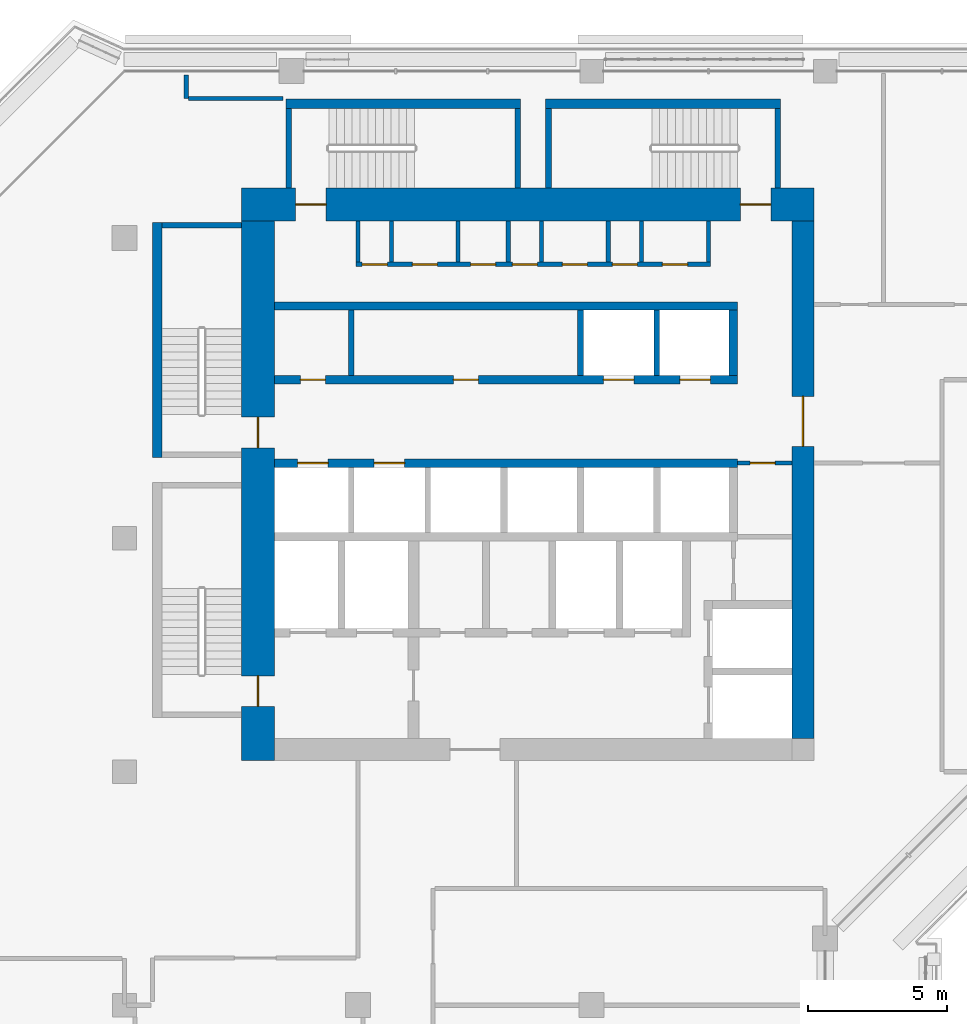
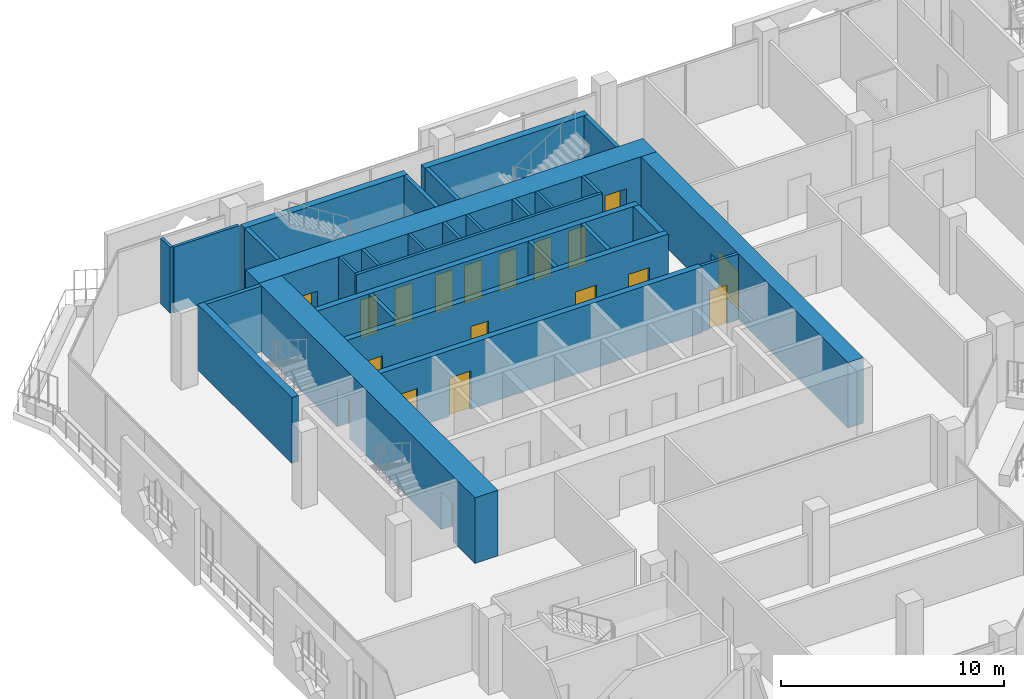
# One storey, part 11 of 21: 30 walls, 19 doors, 19 openings.
"""IFC4 building model written with IfcOpenShell, lengths in metres."""

from ifc_helpers import new_model, si_unit, direction, frame, frame_2d, origin, place, context, subcontext, project, spatial, rectangle, extrude, material, layer, layer_set, type_object, element, fill, save


model = new_model("IFC4")

# Units and contexts
model_context = context("Model", 3, precision=1e-05, world=origin(), true_north=direction((0.0, 1.0)))
body_context = subcontext(model_context, "Body", "Model", "MODEL_VIEW")
ifc_project = project(units=[si_unit("LENGTHUNIT", "METRE"), si_unit("AREAUNIT", "SQUARE_METRE"), si_unit("VOLUMEUNIT", "CUBIC_METRE"), si_unit("PLANEANGLEUNIT", "RADIAN"), si_unit("MASSUNIT", "GRAM", prefix="KILO")], contexts=[model_context])

# Site, building, storey
site_placement = place(None, origin())
site = spatial("IfcSite", under=ifc_project, at=site_placement, CompositionType="ELEMENT")
building_placement = place(site_placement, origin())
building = spatial("IfcBuilding", under=site, at=building_placement, Name="Kawkab Arch Medical Tower", CompositionType="ELEMENT")
storey_placement = place(building_placement, frame((0.0, 0.0, 260.0)))
storey = spatial("IfcBuildingStorey", under=building, at=storey_placement, Name="L60", CompositionType="ELEMENT", Elevation=260.0)

# Wall, openings, doors
ifc_material_1 = material(Name="Concrete C50/60", Category="concrete")
ifc_layer_1 = layer(ifc_material_1, 1.199951171875)
ifc_layer_set_1 = layer_set([ifc_layer_1], Name="Concrete C50/60")
wall_type_1 = type_object("IfcWallType", Name="Core ring wall 1200 C50/60", PredefinedType="SHEAR", material=ifc_layer_set_1)
wall_1_placement = place(storey_placement, frame((4.199951171875, -4.800048828125, 0.0), z_axis=(0.0, 0.0, 1.0), x_axis=(1.0, 0.0, 0.0)))
wall_1 = element("IfcWall", 1, at=wall_1_placement, inside=storey, type_object=wall_type_1, Name="L60 core wall", PredefinedType="SHEAR", context=body_context, shape_type="SweptSolid", body=[
    extrude(rectangle(XDim=20.60009765625, YDim=1.199951171875, at=frame_2d((10.300048828125, 0.0))), origin(), (0.0, 0.0, 1.0), 3.60009765625),
])
opening_1_placement = place(wall_1_placement, frame((1.949951171875, 0.0, 0.0)))
opening_1 = element("IfcOpeningElement", 2, at=opening_1_placement, cuts=wall_1, Name="Opening SD", PredefinedType="OPENING", context=body_context, shape_type="SweptSolid", body=[
    extrude(rectangle(XDim=1.10009765625, YDim=2.10009765625, at=frame_2d((0.550048828125, 1.050048828125))), frame((0.0, 0.60986328125, 0.0), z_axis=(0.0, -1.0, 0.0), x_axis=(1.0, 0.0, 0.0)), (0.0, 0.0, 1.0), 1.219970703125),
])
opening_2_placement = place(wall_1_placement, frame((17.949951171875, 0.0, 0.0)))
opening_2 = element("IfcOpeningElement", 3, at=opening_2_placement, cuts=wall_1, Name="Opening SD", PredefinedType="OPENING", context=body_context, shape_type="SweptSolid", body=[
    extrude(rectangle(XDim=1.10009765625, YDim=2.10009765625, at=frame_2d((0.550048828125, 1.050048828125))), frame((0.0, 0.60986328125, 0.0), z_axis=(0.0, -1.0, 0.0), x_axis=(1.0, 0.0, 0.0)), (0.0, 0.0, 1.0), 1.219970703125),
])
ifc_material_2 = material(Name="Hollow metal fire door leaf")
door_type_1 = type_object("IfcDoorType", Name="Exit stair door 1100", OperationType="SINGLE_SWING_LEFT", PredefinedType="DOOR", material=ifc_material_2)
door_1_placement = place(opening_1_placement, origin())
door_1 = element("IfcDoor", 4, at=door_1_placement, inside=storey, type_object=door_type_1, Name="L60 Exit stair ST3 door", OperationType="SINGLE_SWING_LEFT", OverallHeight=2.10009765625, OverallWidth=1.10009765625, PredefinedType="DOOR", context=body_context, shape_type="SweptSolid", body=[
    extrude(rectangle(XDim=1.10009765625, YDim=2.10009765625, at=frame_2d((0.550048828125, 1.050048828125))), frame((0.0, 0.02490234375, 0.0), z_axis=(0.0, -1.0, 0.0), x_axis=(1.0, 0.0, 0.0)), (0.0, 0.0, 1.0), 0.050048828125),
])
fill(opening_1, door_1)
door_2_placement = place(opening_2_placement, origin())
door_2 = element("IfcDoor", 5, at=door_2_placement, inside=storey, type_object=door_type_1, Name="L60 Exit stair ST4 door", OperationType="SINGLE_SWING_LEFT", OverallHeight=2.10009765625, OverallWidth=1.10009765625, PredefinedType="DOOR", context=body_context, shape_type="SweptSolid", body=[
    extrude(rectangle(XDim=1.10009765625, YDim=2.10009765625, at=frame_2d((0.550048828125, 1.050048828125))), frame((0.0, 0.02490234375, 0.0), z_axis=(0.0, -1.0, 0.0), x_axis=(1.0, 0.0, 0.0)), (0.0, 0.0, 1.0), 0.050048828125),
])
fill(opening_2, door_2)

wall_2_placement = place(storey_placement, frame((4.800048828125, -24.800048828125, 0.0), z_axis=(0.0, 0.0, 1.0), x_axis=(0.0, 1.0, 0.0)))
wall_2 = element("IfcWall", 6, at=wall_2_placement, inside=storey, type_object=wall_type_1, Name="L60 core wall", PredefinedType="SHEAR", context=body_context, shape_type="SweptSolid", body=[
    extrude(rectangle(XDim=19.400146484375, YDim=1.199951171875, at=frame_2d((9.7001953125, 0.0))), origin(), (0.0, 0.0, 1.0), 3.60009765625),
])
opening_3_placement = place(wall_2_placement, frame((11.25, 0.0, 0.0)))
opening_3 = element("IfcOpeningElement", 7, at=opening_3_placement, cuts=wall_2, Name="Opening SD", PredefinedType="OPENING", context=body_context, shape_type="SweptSolid", body=[
    extrude(rectangle(XDim=1.10009765625, YDim=2.10009765625, at=frame_2d((0.550048828125, 1.050048828125))), frame((0.0, 0.60986328125, 0.0), z_axis=(0.0, -1.0, 0.0), x_axis=(1.0, 0.0, 0.0)), (0.0, 0.0, 1.0), 1.219970703125),
])
opening_4_placement = place(wall_2_placement, frame((1.949951171875, 0.0, 0.0)))
opening_4 = element("IfcOpeningElement", 8, at=opening_4_placement, cuts=wall_2, Name="Opening SD", PredefinedType="OPENING", context=body_context, shape_type="SweptSolid", body=[
    extrude(rectangle(XDim=1.10009765625, YDim=2.10009765625, at=frame_2d((0.550048828125, 1.050048828125))), frame((0.0, 0.60986328125, 0.0), z_axis=(0.0, -1.0, 0.0), x_axis=(1.0, 0.0, 0.0)), (0.0, 0.0, 1.0), 1.219970703125),
])
door_3_placement = place(opening_3_placement, origin())
door_3 = element("IfcDoor", 9, at=door_3_placement, inside=storey, type_object=door_type_1, Name="L60 Exit stair ST1 door", OperationType="SINGLE_SWING_LEFT", OverallHeight=2.10009765625, OverallWidth=1.10009765625, PredefinedType="DOOR", context=body_context, shape_type="SweptSolid", body=[
    extrude(rectangle(XDim=1.10009765625, YDim=2.10009765625, at=frame_2d((0.550048828125, 1.050048828125))), frame((0.0, 0.02490234375, 0.0), z_axis=(0.0, -1.0, 0.0), x_axis=(1.0, 0.0, 0.0)), (0.0, 0.0, 1.0), 0.050048828125),
])
fill(opening_3, door_3)
door_4_placement = place(opening_4_placement, origin())
door_4 = element("IfcDoor", 10, at=door_4_placement, inside=storey, type_object=door_type_1, Name="L60 Exit stair ST2 door", OperationType="SINGLE_SWING_LEFT", OverallHeight=2.10009765625, OverallWidth=1.10009765625, PredefinedType="DOOR", context=body_context, shape_type="SweptSolid", body=[
    extrude(rectangle(XDim=1.10009765625, YDim=2.10009765625, at=frame_2d((0.550048828125, 1.050048828125))), frame((0.0, 0.02490234375, 0.0), z_axis=(0.0, -1.0, 0.0), x_axis=(1.0, 0.0, 0.0)), (0.0, 0.0, 1.0), 0.050048828125),
])
fill(opening_4, door_4)

# Wall, opening, door
ifc_material_3 = material(Name="Concrete C50/60", Category="concrete")
ifc_layer_2 = layer(ifc_material_3, 0.800048828125)
ifc_layer_set_2 = layer_set([ifc_layer_2], Name="Concrete C50/60")
wall_type_2 = type_object("IfcWallType", Name="Core ring wall 800 C50/60", PredefinedType="SHEAR", material=ifc_layer_set_2)
wall_3_placement = place(storey_placement, frame((24.39990234375, -24.0, 0.0), z_axis=(0.0, 0.0, 1.0), x_axis=(0.0, 1.0, 0.0)))
wall_3 = element("IfcWall", 11, at=wall_3_placement, inside=storey, type_object=wall_type_2, Name="L60 core wall", PredefinedType="SHEAR", context=body_context, shape_type="SweptSolid", body=[
    extrude(rectangle(XDim=18.60009765625, YDim=0.800048828125, at=frame_2d((9.300048828125, 0.0))), origin(), (0.0, 0.0, 1.0), 3.60009765625),
])
opening_5_placement = place(wall_3_placement, frame((10.5, 0.0, 0.0)))
opening_5 = element("IfcOpeningElement", 12, at=opening_5_placement, cuts=wall_3, Name="Opening PD", PredefinedType="OPENING", context=body_context, shape_type="SweptSolid", body=[
    extrude(rectangle(XDim=1.800048828125, YDim=2.10009765625, at=frame_2d((0.89990234375, 1.050048828125))), frame((0.0, 0.409912109375, 0.0), z_axis=(0.0, -1.0, 0.0), x_axis=(1.0, 0.0, 0.0)), (0.0, 0.0, 1.0), 0.820068359375),
])
ifc_material_4 = material(Name="Hollow metal fire door leaf")
door_type_2 = type_object("IfcDoorType", Name="Core entrance doors 1800", OperationType="DOUBLE_DOOR_SINGLE_SWING", PredefinedType="DOOR", material=ifc_material_4)
door_5_placement = place(opening_5_placement, origin())
door_5 = element("IfcDoor", 13, at=door_5_placement, inside=storey, type_object=door_type_2, Name="L60 East entrance doors", OperationType="DOUBLE_DOOR_SINGLE_SWING", OverallHeight=2.10009765625, OverallWidth=1.800048828125, PredefinedType="DOOR", context=body_context, shape_type="SweptSolid", body=[
    extrude(rectangle(XDim=1.800048828125, YDim=2.10009765625, at=frame_2d((0.89990234375, 1.050048828125))), frame((0.0, 0.02490234375, 0.0), z_axis=(0.0, -1.0, 0.0), x_axis=(1.0, 0.0, 0.0)), (0.0, 0.0, 1.0), 0.050048828125),
])
fill(opening_5, door_5)

ifc_material_5 = material(Name="Gypsum board on steel studs", Category="steel")
ifc_layer_3 = layer(ifc_material_5, 0.14990234375)
ifc_layer_set_3 = layer_set([ifc_layer_3], Name="Gypsum board on steel studs")
wall_type_3 = type_object("IfcWallType", Name="Core room partition 150", PredefinedType="PARTITIONING", material=ifc_layer_set_3)
wall_4_placement = place(storey_placement, frame((22.050048828125, -14.10009765625, 0.0), z_axis=(0.0, 0.0, 1.0), x_axis=(1.0, 0.0, 0.0)))
wall_4 = element("IfcWall", 14, at=wall_4_placement, inside=storey, type_object=wall_type_3, Name="L60 core room partition", PredefinedType="PARTITIONING", context=body_context, shape_type="SweptSolid", body=[
    extrude(rectangle(XDim=1.949951171875, YDim=0.14990234375, at=frame_2d((0.97509765625, 0.0))), origin(), (0.0, 0.0, 1.0), 3.60009765625),
])
opening_6_placement = place(wall_4_placement, frame((0.449951171875, 0.0, 0.0)))
opening_6 = element("IfcOpeningElement", 15, at=opening_6_placement, cuts=wall_4, Name="Opening RD", PredefinedType="OPENING", context=body_context, shape_type="SweptSolid", body=[
    extrude(rectangle(XDim=0.89990234375, YDim=2.10009765625, at=frame_2d((0.449951171875, 1.050048828125))), frame((0.0, 0.0849609375, 0.0), z_axis=(0.0, -1.0, 0.0), x_axis=(1.0, 0.0, 0.0)), (0.0, 0.0, 1.0), 0.169921875),
])
ifc_material_6 = material(Name="Hollow metal fire door leaf")
door_type_3 = type_object("IfcDoorType", Name="Core room door 900", OperationType="SINGLE_SWING_LEFT", PredefinedType="DOOR", material=ifc_material_6)
door_6_placement = place(opening_6_placement, origin())
door_6 = element("IfcDoor", 16, at=door_6_placement, inside=storey, type_object=door_type_3, Name="L60 Linen store door", OperationType="SINGLE_SWING_LEFT", OverallHeight=2.10009765625, OverallWidth=0.89990234375, PredefinedType="DOOR", context=body_context, shape_type="SweptSolid", body=[
    extrude(rectangle(XDim=0.89990234375, YDim=2.10009765625, at=frame_2d((0.449951171875, 1.050048828125))), frame((0.0, 0.02490234375, 0.0), z_axis=(0.0, -1.0, 0.0), x_axis=(1.0, 0.0, 0.0)), (0.0, 0.0, 1.0), 0.050048828125),
])
fill(opening_6, door_6)

# Wall, openings, doors
wall_5_placement = place(storey_placement, frame((8.324951171875, -6.949951171875, 0.0), z_axis=(0.0, 0.0, 1.0), x_axis=(1.0, 0.0, 0.0)))
wall_5 = element("IfcWall", 17, at=wall_5_placement, inside=storey, type_object=wall_type_3, Name="L60 core room partition", PredefinedType="PARTITIONING", context=body_context, shape_type="SweptSolid", body=[
    extrude(rectangle(XDim=12.75, YDim=0.14990234375, at=frame_2d((6.375, 0.0))), origin(), (0.0, 0.0, 1.0), 3.60009765625),
])
opening_7_placement = place(wall_5_placement, frame((0.22509765625, 0.0, 0.0)))
opening_7 = element("IfcOpeningElement", 18, at=opening_7_placement, cuts=wall_5, Name="Opening RD", PredefinedType="OPENING", context=body_context, shape_type="SweptSolid", body=[
    extrude(rectangle(XDim=0.89990234375, YDim=2.10009765625, at=frame_2d((0.449951171875, 1.050048828125))), frame((0.0, 0.0849609375, 0.0), z_axis=(0.0, -1.0, 0.0), x_axis=(1.0, 0.0, 0.0)), (0.0, 0.0, 1.0), 0.169921875),
])
opening_8_placement = place(wall_5_placement, frame((2.02490234375, 0.0, 0.0)))
opening_8 = element("IfcOpeningElement", 19, at=opening_8_placement, cuts=wall_5, Name="Opening RD", PredefinedType="OPENING", context=body_context, shape_type="SweptSolid", body=[
    extrude(rectangle(XDim=0.89990234375, YDim=2.10009765625, at=frame_2d((0.449951171875, 1.050048828125))), frame((0.0, 0.0849609375, 0.0), z_axis=(0.0, -1.0, 0.0), x_axis=(1.0, 0.0, 0.0)), (0.0, 0.0, 1.0), 0.169921875),
])
opening_9_placement = place(wall_5_placement, frame((4.125, 0.0, 0.0)))
opening_9 = element("IfcOpeningElement", 20, at=opening_9_placement, cuts=wall_5, Name="Opening RD", PredefinedType="OPENING", context=body_context, shape_type="SweptSolid", body=[
    extrude(rectangle(XDim=0.89990234375, YDim=2.10009765625, at=frame_2d((0.449951171875, 1.050048828125))), frame((0.0, 0.0849609375, 0.0), z_axis=(0.0, -1.0, 0.0), x_axis=(1.0, 0.0, 0.0)), (0.0, 0.0, 1.0), 0.169921875),
])
opening_10_placement = place(wall_5_placement, frame((5.625, 0.0, 0.0)))
opening_10 = element("IfcOpeningElement", 21, at=opening_10_placement, cuts=wall_5, Name="Opening RD", PredefinedType="OPENING", context=body_context, shape_type="SweptSolid", body=[
    extrude(rectangle(XDim=0.89990234375, YDim=2.10009765625, at=frame_2d((0.449951171875, 1.050048828125))), frame((0.0, 0.0849609375, 0.0), z_axis=(0.0, -1.0, 0.0), x_axis=(1.0, 0.0, 0.0)), (0.0, 0.0, 1.0), 0.169921875),
])
opening_11_placement = place(wall_5_placement, frame((7.425048828125, 0.0, 0.0)))
opening_11 = element("IfcOpeningElement", 22, at=opening_11_placement, cuts=wall_5, Name="Opening RD", PredefinedType="OPENING", context=body_context, shape_type="SweptSolid", body=[
    extrude(rectangle(XDim=0.89990234375, YDim=2.10009765625, at=frame_2d((0.449951171875, 1.050048828125))), frame((0.0, 0.0849609375, 0.0), z_axis=(0.0, -1.0, 0.0), x_axis=(1.0, 0.0, 0.0)), (0.0, 0.0, 1.0), 0.169921875),
])
opening_12_placement = place(wall_5_placement, frame((9.22509765625, 0.0, 0.0)))
opening_12 = element("IfcOpeningElement", 23, at=opening_12_placement, cuts=wall_5, Name="Opening RD", PredefinedType="OPENING", context=body_context, shape_type="SweptSolid", body=[
    extrude(rectangle(XDim=0.89990234375, YDim=2.10009765625, at=frame_2d((0.449951171875, 1.050048828125))), frame((0.0, 0.0849609375, 0.0), z_axis=(0.0, -1.0, 0.0), x_axis=(1.0, 0.0, 0.0)), (0.0, 0.0, 1.0), 0.169921875),
])
opening_13_placement = place(wall_5_placement, frame((11.02490234375, 0.0, 0.0)))
opening_13 = element("IfcOpeningElement", 24, at=opening_13_placement, cuts=wall_5, Name="Opening RD", PredefinedType="OPENING", context=body_context, shape_type="SweptSolid", body=[
    extrude(rectangle(XDim=0.89990234375, YDim=2.10009765625, at=frame_2d((0.449951171875, 1.050048828125))), frame((0.0, 0.0849609375, 0.0), z_axis=(0.0, -1.0, 0.0), x_axis=(1.0, 0.0, 0.0)), (0.0, 0.0, 1.0), 0.169921875),
])
door_7_placement = place(opening_7_placement, origin())
door_7 = element("IfcDoor", 25, at=door_7_placement, inside=storey, type_object=door_type_3, Name="L60 Electrical riser room door", OperationType="SINGLE_SWING_LEFT", OverallHeight=2.10009765625, OverallWidth=0.89990234375, PredefinedType="DOOR", context=body_context, shape_type="SweptSolid", body=[
    extrude(rectangle(XDim=0.89990234375, YDim=2.10009765625, at=frame_2d((0.449951171875, 1.050048828125))), frame((0.0, 0.02490234375, 0.0), z_axis=(0.0, -1.0, 0.0), x_axis=(1.0, 0.0, 0.0)), (0.0, 0.0, 1.0), 0.050048828125),
])
fill(opening_7, door_7)
door_8_placement = place(opening_8_placement, origin())
door_8 = element("IfcDoor", 26, at=door_8_placement, inside=storey, type_object=door_type_3, Name="L60 Comms room door", OperationType="SINGLE_SWING_LEFT", OverallHeight=2.10009765625, OverallWidth=0.89990234375, PredefinedType="DOOR", context=body_context, shape_type="SweptSolid", body=[
    extrude(rectangle(XDim=0.89990234375, YDim=2.10009765625, at=frame_2d((0.449951171875, 1.050048828125))), frame((0.0, 0.02490234375, 0.0), z_axis=(0.0, -1.0, 0.0), x_axis=(1.0, 0.0, 0.0)), (0.0, 0.0, 1.0), 0.050048828125),
])
fill(opening_8, door_8)
door_9_placement = place(opening_9_placement, origin())
door_9 = element("IfcDoor", 27, at=door_9_placement, inside=storey, type_object=door_type_3, Name="L60 Medical gas plant room door", OperationType="SINGLE_SWING_LEFT", OverallHeight=2.10009765625, OverallWidth=0.89990234375, PredefinedType="DOOR", context=body_context, shape_type="SweptSolid", body=[
    extrude(rectangle(XDim=0.89990234375, YDim=2.10009765625, at=frame_2d((0.449951171875, 1.050048828125))), frame((0.0, 0.02490234375, 0.0), z_axis=(0.0, -1.0, 0.0), x_axis=(1.0, 0.0, 0.0)), (0.0, 0.0, 1.0), 0.050048828125),
])
fill(opening_9, door_9)
door_10_placement = place(opening_10_placement, origin())
door_10 = element("IfcDoor", 28, at=door_10_placement, inside=storey, type_object=door_type_3, Name="L60 Sprinkler valve room door", OperationType="SINGLE_SWING_LEFT", OverallHeight=2.10009765625, OverallWidth=0.89990234375, PredefinedType="DOOR", context=body_context, shape_type="SweptSolid", body=[
    extrude(rectangle(XDim=0.89990234375, YDim=2.10009765625, at=frame_2d((0.449951171875, 1.050048828125))), frame((0.0, 0.02490234375, 0.0), z_axis=(0.0, -1.0, 0.0), x_axis=(1.0, 0.0, 0.0)), (0.0, 0.0, 1.0), 0.050048828125),
])
fill(opening_10, door_10)
door_11_placement = place(opening_11_placement, origin())
door_11 = element("IfcDoor", 29, at=door_11_placement, inside=storey, type_object=door_type_3, Name="L60 Housekeeping store door", OperationType="SINGLE_SWING_LEFT", OverallHeight=2.10009765625, OverallWidth=0.89990234375, PredefinedType="DOOR", context=body_context, shape_type="SweptSolid", body=[
    extrude(rectangle(XDim=0.89990234375, YDim=2.10009765625, at=frame_2d((0.449951171875, 1.050048828125))), frame((0.0, 0.02490234375, 0.0), z_axis=(0.0, -1.0, 0.0), x_axis=(1.0, 0.0, 0.0)), (0.0, 0.0, 1.0), 0.050048828125),
])
fill(opening_11, door_11)
door_12_placement = place(opening_12_placement, origin())
door_12 = element("IfcDoor", 30, at=door_12_placement, inside=storey, type_object=door_type_3, Name="L60 Electrical riser room door", OperationType="SINGLE_SWING_LEFT", OverallHeight=2.10009765625, OverallWidth=0.89990234375, PredefinedType="DOOR", context=body_context, shape_type="SweptSolid", body=[
    extrude(rectangle(XDim=0.89990234375, YDim=2.10009765625, at=frame_2d((0.449951171875, 1.050048828125))), frame((0.0, 0.02490234375, 0.0), z_axis=(0.0, -1.0, 0.0), x_axis=(1.0, 0.0, 0.0)), (0.0, 0.0, 1.0), 0.050048828125),
])
fill(opening_12, door_12)
door_13_placement = place(opening_13_placement, origin())
door_13 = element("IfcDoor", 31, at=door_13_placement, inside=storey, type_object=door_type_3, Name="L60 General store door", OperationType="SINGLE_SWING_LEFT", OverallHeight=2.10009765625, OverallWidth=0.89990234375, PredefinedType="DOOR", context=body_context, shape_type="SweptSolid", body=[
    extrude(rectangle(XDim=0.89990234375, YDim=2.10009765625, at=frame_2d((0.449951171875, 1.050048828125))), frame((0.0, 0.02490234375, 0.0), z_axis=(0.0, -1.0, 0.0), x_axis=(1.0, 0.0, 0.0)), (0.0, 0.0, 1.0), 0.050048828125),
])
fill(opening_13, door_13)

# Walls
for number, where, z_axis, x_axis, name in (
    (32, (8.39990234375, -6.875, 0.0), (0.0, 0.0, 1.0), (0.0, 1.0, 0.0), "L60 core room partition"),
    (33, (9.60009765625, -6.875, 0.0), (0.0, 0.0, 1.0), (0.0, 1.0, 0.0), "L60 core room partition"),
    (34, (12.0, -6.875, 0.0), (0.0, 0.0, 1.0), (0.0, 1.0, 0.0), "L60 core room partition"),
    (35, (13.800048828125, -6.875, 0.0), (0.0, 0.0, 1.0), (0.0, 1.0, 0.0), "L60 core room partition"),
    (36, (15.0, -6.875, 0.0), (0.0, 0.0, 1.0), (0.0, 1.0, 0.0), "L60 core room partition"),
    (37, (17.39990234375, -6.875, 0.0), (0.0, 0.0, 1.0), (0.0, 1.0, 0.0), "L60 core room partition"),
    (38, (18.60009765625, -6.875, 0.0), (0.0, 0.0, 1.0), (0.0, 1.0, 0.0), "L60 core room partition"),
    (39, (21.0, -6.875, 0.0), (0.0, 0.0, 1.0), (0.0, 1.0, 0.0), "L60 core room partition"),
):
    element("IfcWall", number, at=place(storey_placement, frame(where, z_axis=z_axis, x_axis=x_axis)), inside=storey, type_object=wall_type_3, Name=name, PredefinedType="PARTITIONING", context=body_context, shape_type="SweptSolid", body=[
        extrude(rectangle(XDim=1.47509765625, YDim=0.14990234375, at=frame_2d((0.737548828125, 0.0))), origin(), (0.0, 0.0, 1.0), 3.60009765625),
    ])
ifc_material_7 = material(Name="Concrete C60/75", Category="concrete")
ifc_layer_4 = layer(ifc_material_7, 0.300048828125)
ifc_layer_set_4 = layer_set([ifc_layer_4], Name="Concrete C60/75")
wall_type_4 = type_object("IfcWallType", Name="Core shear wall 300 C60/75", PredefinedType="SHEAR", material=ifc_layer_set_4)
wall_6_placement = place(storey_placement, frame((5.39990234375, -8.449951171875, 0.0), z_axis=(0.0, 0.0, 1.0), x_axis=(1.0, 0.0, 0.0)))
element("IfcWall", 40, at=wall_6_placement, inside=storey, type_object=wall_type_4, Name="L60 core shear wall", PredefinedType="SHEAR", context=body_context, shape_type="SweptSolid", body=[
    extrude(rectangle(XDim=16.650146484375, YDim=0.300048828125, at=frame_2d((8.3251953125, 0.0))), origin(), (0.0, 0.0, 1.0), 3.60009765625),
])

# Wall, openings, doors
wall_7_placement = place(storey_placement, frame((5.39990234375, -11.10009765625, 0.0), z_axis=(0.0, 0.0, 1.0), x_axis=(1.0, 0.0, 0.0)))
wall_7 = element("IfcWall", 41, at=wall_7_placement, inside=storey, type_object=wall_type_4, Name="L60 core shear wall", PredefinedType="SHEAR", context=body_context, shape_type="SweptSolid", body=[
    extrude(rectangle(XDim=16.650146484375, YDim=0.300048828125, at=frame_2d((8.3251953125, 0.0))), origin(), (0.0, 0.0, 1.0), 3.60009765625),
])
opening_14_placement = place(wall_7_placement, frame((11.824951171875, 0.0, 0.0)))
opening_14 = element("IfcOpeningElement", 42, at=opening_14_placement, cuts=wall_7, Name="Opening LD1", PredefinedType="OPENING", context=body_context, shape_type="SweptSolid", body=[
    extrude(rectangle(XDim=1.10009765625, YDim=2.10009765625, at=frame_2d((0.550048828125, 1.050048828125))), frame((0.0, 0.159912109375, 0.0), z_axis=(0.0, -1.0, 0.0), x_axis=(1.0, 0.0, 0.0)), (0.0, 0.0, 1.0), 0.320068359375),
])
opening_15_placement = place(wall_7_placement, frame((14.574951171875, 0.0, 0.0)))
opening_15 = element("IfcOpeningElement", 43, at=opening_15_placement, cuts=wall_7, Name="Opening LD1", PredefinedType="OPENING", context=body_context, shape_type="SweptSolid", body=[
    extrude(rectangle(XDim=1.10009765625, YDim=2.10009765625, at=frame_2d((0.550048828125, 1.050048828125))), frame((0.0, 0.159912109375, 0.0), z_axis=(0.0, -1.0, 0.0), x_axis=(1.0, 0.0, 0.0)), (0.0, 0.0, 1.0), 0.320068359375),
])
opening_16_placement = place(wall_7_placement, frame((0.925048828125, 0.0, 0.0)))
opening_16 = element("IfcOpeningElement", 44, at=opening_16_placement, cuts=wall_7, Name="Opening RD", PredefinedType="OPENING", context=body_context, shape_type="SweptSolid", body=[
    extrude(rectangle(XDim=0.89990234375, YDim=2.10009765625, at=frame_2d((0.449951171875, 1.050048828125))), frame((0.0, 0.159912109375, 0.0), z_axis=(0.0, -1.0, 0.0), x_axis=(1.0, 0.0, 0.0)), (0.0, 0.0, 1.0), 0.320068359375),
])
opening_17_placement = place(wall_7_placement, frame((6.425048828125, 0.0, 0.0)))
opening_17 = element("IfcOpeningElement", 45, at=opening_17_placement, cuts=wall_7, Name="Opening RD", PredefinedType="OPENING", context=body_context, shape_type="SweptSolid", body=[
    extrude(rectangle(XDim=0.89990234375, YDim=2.10009765625, at=frame_2d((0.449951171875, 1.050048828125))), frame((0.0, 0.159912109375, 0.0), z_axis=(0.0, -1.0, 0.0), x_axis=(1.0, 0.0, 0.0)), (0.0, 0.0, 1.0), 0.320068359375),
])
door_14_placement = place(opening_16_placement, origin())
door_14 = element("IfcDoor", 46, at=door_14_placement, inside=storey, type_object=door_type_3, Name="L60 Linen store door", OperationType="SINGLE_SWING_LEFT", OverallHeight=2.10009765625, OverallWidth=0.89990234375, PredefinedType="DOOR", context=body_context, shape_type="SweptSolid", body=[
    extrude(rectangle(XDim=0.89990234375, YDim=2.10009765625, at=frame_2d((0.449951171875, 1.050048828125))), frame((0.0, 0.02490234375, 0.0), z_axis=(0.0, -1.0, 0.0), x_axis=(1.0, 0.0, 0.0)), (0.0, 0.0, 1.0), 0.050048828125),
])
fill(opening_16, door_14)
door_15_placement = place(opening_17_placement, origin())
door_15 = element("IfcDoor", 47, at=door_15_placement, inside=storey, type_object=door_type_3, Name="L60 Housekeeping store door", OperationType="SINGLE_SWING_LEFT", OverallHeight=2.10009765625, OverallWidth=0.89990234375, PredefinedType="DOOR", context=body_context, shape_type="SweptSolid", body=[
    extrude(rectangle(XDim=0.89990234375, YDim=2.10009765625, at=frame_2d((0.449951171875, 1.050048828125))), frame((0.0, 0.02490234375, 0.0), z_axis=(0.0, -1.0, 0.0), x_axis=(1.0, 0.0, 0.0)), (0.0, 0.0, 1.0), 0.050048828125),
])
fill(opening_17, door_15)
ifc_material_8 = material(Name="Stainless steel lift door leaf", Category="steel")
door_type_4 = type_object("IfcDoorType", Name="Lift landing door 1100", OperationType="DOUBLE_DOOR_SLIDING", PredefinedType="DOOR", material=ifc_material_8)
door_16_placement = place(opening_14_placement, origin())
door_16 = element("IfcDoor", 48, at=door_16_placement, inside=storey, type_object=door_type_4, Name="L60 Lift landing door MP1", OperationType="DOUBLE_DOOR_SLIDING", OverallHeight=2.10009765625, OverallWidth=1.10009765625, PredefinedType="DOOR", context=body_context, shape_type="SweptSolid", body=[
    extrude(rectangle(XDim=1.10009765625, YDim=2.10009765625, at=frame_2d((0.550048828125, 1.050048828125))), frame((0.0, 0.02490234375, 0.0), z_axis=(0.0, -1.0, 0.0), x_axis=(1.0, 0.0, 0.0)), (0.0, 0.0, 1.0), 0.050048828125),
])
fill(opening_14, door_16)
door_17_placement = place(opening_15_placement, origin())
door_17 = element("IfcDoor", 49, at=door_17_placement, inside=storey, type_object=door_type_4, Name="L60 Lift landing door MP2", OperationType="DOUBLE_DOOR_SLIDING", OverallHeight=2.10009765625, OverallWidth=1.10009765625, PredefinedType="DOOR", context=body_context, shape_type="SweptSolid", body=[
    extrude(rectangle(XDim=1.10009765625, YDim=2.10009765625, at=frame_2d((0.550048828125, 1.050048828125))), frame((0.0, 0.02490234375, 0.0), z_axis=(0.0, -1.0, 0.0), x_axis=(1.0, 0.0, 0.0)), (0.0, 0.0, 1.0), 0.050048828125),
])
fill(opening_15, door_17)

wall_8_placement = place(storey_placement, frame((5.39990234375, -14.10009765625, 0.0), z_axis=(0.0, 0.0, 1.0), x_axis=(1.0, 0.0, 0.0)))
wall_8 = element("IfcWall", 50, at=wall_8_placement, inside=storey, type_object=wall_type_4, Name="L60 core shear wall", PredefinedType="SHEAR", context=body_context, shape_type="SweptSolid", body=[
    extrude(rectangle(XDim=16.650146484375, YDim=0.300048828125, at=frame_2d((8.3251953125, 0.0))), origin(), (0.0, 0.0, 1.0), 3.60009765625),
])
opening_18_placement = place(wall_8_placement, frame((0.824951171875, 0.0, 0.0)))
opening_18 = element("IfcOpeningElement", 51, at=opening_18_placement, cuts=wall_8, Name="Opening LD1", PredefinedType="OPENING", context=body_context, shape_type="SweptSolid", body=[
    extrude(rectangle(XDim=1.10009765625, YDim=2.10009765625, at=frame_2d((0.550048828125, 1.050048828125))), frame((0.0, 0.159912109375, 0.0), z_axis=(0.0, -1.0, 0.0), x_axis=(1.0, 0.0, 0.0)), (0.0, 0.0, 1.0), 0.320068359375),
])
opening_19_placement = place(wall_8_placement, frame((3.574951171875, 0.0, 0.0)))
opening_19 = element("IfcOpeningElement", 52, at=opening_19_placement, cuts=wall_8, Name="Opening LD1", PredefinedType="OPENING", context=body_context, shape_type="SweptSolid", body=[
    extrude(rectangle(XDim=1.10009765625, YDim=2.10009765625, at=frame_2d((0.550048828125, 1.050048828125))), frame((0.0, 0.159912109375, 0.0), z_axis=(0.0, -1.0, 0.0), x_axis=(1.0, 0.0, 0.0)), (0.0, 0.0, 1.0), 0.320068359375),
])
door_18_placement = place(opening_18_placement, origin())
door_18 = element("IfcDoor", 53, at=door_18_placement, inside=storey, type_object=door_type_4, Name="L60 Lift landing door MP3", OperationType="DOUBLE_DOOR_SLIDING", OverallHeight=2.10009765625, OverallWidth=1.10009765625, PredefinedType="DOOR", context=body_context, shape_type="SweptSolid", body=[
    extrude(rectangle(XDim=1.10009765625, YDim=2.10009765625, at=frame_2d((0.550048828125, 1.050048828125))), frame((0.0, 0.02490234375, 0.0), z_axis=(0.0, -1.0, 0.0), x_axis=(1.0, 0.0, 0.0)), (0.0, 0.0, 1.0), 0.050048828125),
])
fill(opening_18, door_18)
door_19_placement = place(opening_19_placement, origin())
door_19 = element("IfcDoor", 54, at=door_19_placement, inside=storey, type_object=door_type_4, Name="L60 Lift landing door MP4", OperationType="DOUBLE_DOOR_SLIDING", OverallHeight=2.10009765625, OverallWidth=1.10009765625, PredefinedType="DOOR", context=body_context, shape_type="SweptSolid", body=[
    extrude(rectangle(XDim=1.10009765625, YDim=2.10009765625, at=frame_2d((0.550048828125, 1.050048828125))), frame((0.0, 0.02490234375, 0.0), z_axis=(0.0, -1.0, 0.0), x_axis=(1.0, 0.0, 0.0)), (0.0, 0.0, 1.0), 0.050048828125),
])
fill(opening_19, door_19)

# Walls
wall_9_placement = place(storey_placement, frame((21.89990234375, -10.949951171875, 0.0), z_axis=(0.0, 0.0, 1.0), x_axis=(0.0, 1.0, 0.0)))
element("IfcWall", 55, at=wall_9_placement, inside=storey, type_object=wall_type_4, Name="L60 core shear wall", PredefinedType="SHEAR", context=body_context, shape_type="SweptSolid", body=[
    extrude(rectangle(XDim=2.349853515625, YDim=0.300048828125, at=frame_2d((1.1748046875, 0.0))), origin(), (0.0, 0.0, 1.0), 3.60009765625),
])
ifc_material_9 = material(Name="Dense concrete blockwork", Category="masonry")
ifc_layer_5 = layer(ifc_material_9, 0.199951171875)
ifc_layer_set_5 = layer_set([ifc_layer_5], Name="Dense concrete blockwork")
wall_type_5 = type_object("IfcWallType", Name="Lift shaft partition 200", PredefinedType="PARTITIONING", material=ifc_layer_set_5)
for number, where, z_axis, x_axis, name in (
    (56, (8.14990234375, -10.949951171875, 0.0), (0.0, 0.0, 1.0), (0.0, 1.0, 0.0), "L60 lift shaft partition"),
    (57, (16.39990234375, -10.949951171875, 0.0), (0.0, 0.0, 1.0), (0.0, 1.0, 0.0), "L60 lift shaft partition"),
    (58, (19.14990234375, -10.949951171875, 0.0), (0.0, 0.0, 1.0), (0.0, 1.0, 0.0), "L60 lift shaft partition"),
):
    element("IfcWall", number, at=place(storey_placement, frame(where, z_axis=z_axis, x_axis=x_axis)), inside=storey, type_object=wall_type_5, Name=name, PredefinedType="PARTITIONING", context=body_context, shape_type="SweptSolid", body=[
        extrude(rectangle(XDim=2.349853515625, YDim=0.199951171875, at=frame_2d((1.1748046875, 0.0))), origin(), (0.0, 0.0, 1.0), 3.60009765625),
    ])
ifc_material_10 = material(Name="Gypsum board partition on steel studs, mineral wool", Category="steel")
ifc_layer_6 = layer(ifc_material_10, 0.14990234375)
ifc_layer_set_6 = layer_set([ifc_layer_6], Name="Gypsum board partition on steel studs, mineral wool")
wall_type_6 = type_object("IfcWallType", Name="Partition 150", PredefinedType="PARTITIONING", material=ifc_layer_set_6)
wall_10_placement = place(storey_placement, frame((2.297119140625, -0.97998046875, 0.0), z_axis=(0.0, 0.0, 1.0), x_axis=(1.0, 0.0, 0.0)))
element("IfcWall", 59, at=wall_10_placement, inside=storey, type_object=wall_type_6, Name="Partition 150 w025", PredefinedType="PARTITIONING", context=body_context, shape_type="SweptSolid", body=[
    extrude(rectangle(XDim=3.40283203125, YDim=0.14990234375, at=frame_2d((1.701416015625, 0.0))), origin(), (0.0, 0.0, 1.0), 3.60009765625),
])
wall_11_placement = place(storey_placement, frame((2.219970703125, -0.97802734375, 0.0), z_axis=(0.0, 0.0, 1.0), x_axis=(0.0, 1.0, 0.0)))
element("IfcWall", 60, at=wall_11_placement, inside=storey, type_object=wall_type_6, Name="Partition 150 w030", PredefinedType="PARTITIONING", context=body_context, shape_type="SweptSolid", body=[
    extrude(rectangle(XDim=0.843017578125, YDim=0.14990234375, at=frame_2d((0.42138671875, 0.0))), origin(), (0.0, 0.0, 1.0), 3.60009765625),
])
ifc_material_11 = material(Name="Concrete C50/60", Category="concrete")
ifc_layer_7 = layer(ifc_material_11, 0.199951171875)
ifc_layer_set_7 = layer_set([ifc_layer_7], Name="Concrete C50/60")
wall_type_7 = type_object("IfcWallType", Name="Stair enclosure wall 200 C50/60", PredefinedType="SHEAR", material=ifc_layer_set_7)
for number, where, z_axis, x_axis, name in (
    (61, (1.35009765625, -5.550048828125, 0.0), (0.0, 0.0, 1.0), (1.0, 0.0, 0.0), "L60 stair enclosure wall"),
    (62, (5.89990234375, -4.199951171875, 0.0), (0.0, 0.0, 1.0), (0.0, 1.0, 0.0), "L60 stair enclosure wall"),
    (63, (14.14990234375, -4.199951171875, 0.0), (0.0, 0.0, 1.0), (0.0, 1.0, 0.0), "L60 stair enclosure wall"),
    (64, (15.25, -4.199951171875, 0.0), (0.0, 0.0, 1.0), (0.0, 1.0, 0.0), "L60 stair enclosure wall"),
    (65, (23.5, -4.199951171875, 0.0), (0.0, 0.0, 1.0), (0.0, 1.0, 0.0), "L60 stair enclosure wall"),
):
    element("IfcWall", number, at=place(storey_placement, frame(where, z_axis=z_axis, x_axis=x_axis)), inside=storey, type_object=wall_type_7, Name=name, PredefinedType="SHEAR", context=body_context, shape_type="SweptSolid", body=[
        extrude(rectangle(XDim=2.849853515625, YDim=0.199951171875, at=frame_2d((1.4248046875, 0.0))), origin(), (0.0, 0.0, 1.0), 3.60009765625),
    ])
ifc_material_12 = material(Name="Concrete C50/60", Category="concrete")
ifc_layer_8 = layer(ifc_material_12, 0.35009765625)
ifc_layer_set_8 = layer_set([ifc_layer_8], Name="Concrete C50/60")
wall_type_8 = type_object("IfcWallType", Name="Stair enclosure wall 350 C50/60", PredefinedType="SHEAR", material=ifc_layer_set_8)
for number, where, z_axis, x_axis, name in (
    (66, (1.175048828125, -13.89990234375, 0.0), (0.0, 0.0, 1.0), (0.0, 1.0, 0.0), "L60 stair enclosure wall"),
    (67, (5.800048828125, -1.175048828125, 0.0), (0.0, 0.0, 1.0), (1.0, 0.0, 0.0), "L60 stair enclosure wall"),
):
    element("IfcWall", number, at=place(storey_placement, frame(where, z_axis=z_axis, x_axis=x_axis)), inside=storey, type_object=wall_type_8, Name=name, PredefinedType="SHEAR", context=body_context, shape_type="SweptSolid", body=[
        extrude(rectangle(XDim=8.449951171875, YDim=0.35009765625, at=frame_2d((4.22509765625, 0.0))), origin(), (0.0, 0.0, 1.0), 3.60009765625),
    ])
wall_12_placement = place(storey_placement, frame((15.14990234375, -1.175048828125, 0.0), z_axis=(0.0, 0.0, 1.0), x_axis=(1.0, 0.0, 0.0)))
element("IfcWall", 68, at=wall_12_placement, inside=storey, type_object=wall_type_8, Name="L60 stair enclosure wall", PredefinedType="SHEAR", context=body_context, shape_type="SweptSolid", body=[
    extrude(rectangle(XDim=8.4501953125, YDim=0.35009765625, at=frame_2d((4.22509765625, 0.0))), origin(), (0.0, 0.0, 1.0), 3.60009765625),
])

save(model, "model.ifc")
